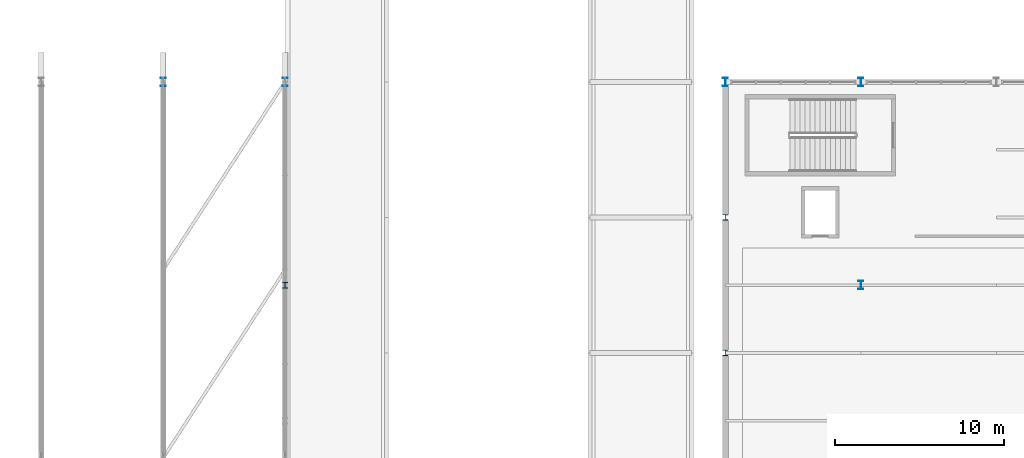
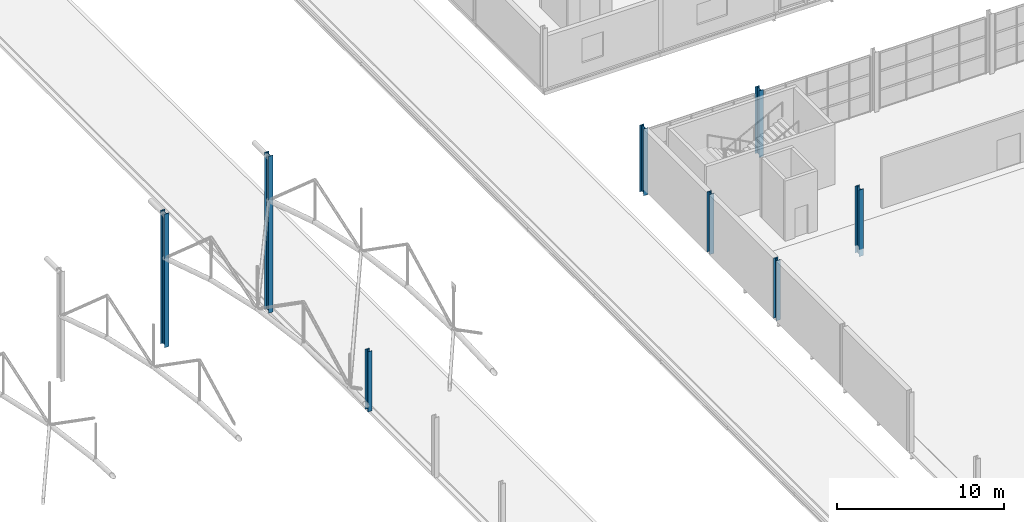
# One storey, part 7 of 153: 8 columns.
"""IFC4 building model written with IfcOpenShell, lengths in metres."""

import ifcopenshell
import ifcopenshell.guid

model = None  # the IFC model being written
_history = None  # IfcOwnerHistory: only IFC2X3 demands one
_inside = {}  # id of a spatial element -> (the spatial element, [elements in it])
_under = {}  # id of a project, library or spatial element -> (it, [spatial elements below it])
_declared = {}  # id of a project -> (the project, [libraries it declares])
_typed = {}  # id of a type object -> (the type object, [elements of that type])
_made_of = {}  # id of a material, layer set ... -> (it, [elements and type objects made of it])


def new_model(schema):
    """Start an empty IFC model of exactly this schema.

    Asked for "IFC4X3", IfcOpenShell would pick the latest addendum, in which some entities
    have other attributes; the version numbers below select the first issue.
    IFC2X3 requires an IfcOwnerHistory on every rooted entity: one is made here for all.
    """
    global model, _history
    if schema == "IFC4X3":
        model = ifcopenshell.file(schema_version=(4, 3, 0, 0))
    else:
        model = ifcopenshell.file(schema=schema)
    _inside.clear()
    _under.clear()
    _declared.clear()
    _typed.clear()
    _made_of.clear()
    _history = None
    if model.schema == "IFC2X3":
        org = make("IfcOrganization", Name="unknown")
        user = make(
            "IfcPersonAndOrganization",
            ThePerson=make("IfcPerson", FamilyName="unknown"),
            TheOrganization=org,
        )
        app = make(
            "IfcApplication",
            ApplicationDeveloper=org,
            Version="unknown",
            ApplicationFullName="unknown",
            ApplicationIdentifier="unknown",
        )
        _history = make(
            "IfcOwnerHistory",
            OwningUser=user,
            OwningApplication=app,
            ChangeAction="ADDED",
            CreationDate=0,
        )
    return model


def make(cls, **values):
    """One entity of the class cls with the attributes given. An attribute that is None is left unset."""
    return model.create_entity(
        cls, **{name: value for name, value in values.items() if value is not None}
    )


def rooted(cls, **values):
    """An entity with a GlobalId (a new one), such as an element, a storey or a relation."""
    return make(cls, GlobalId=ifcopenshell.guid.new(), OwnerHistory=_history, **values)


def si_unit(unit_type, name, prefix=None):
    """IfcSIUnit, for example si_unit("LENGTHUNIT", "METRE", prefix="MILLI")."""
    return make("IfcSIUnit", UnitType=unit_type, Prefix=prefix, Name=name)


def derived_unit(unit_type, elements):
    """IfcDerivedUnit: a product of units, each with its exponent."""
    return make(
        "IfcDerivedUnit",
        Elements=[
            make("IfcDerivedUnitElement", Unit=unit, Exponent=power)
            for unit, power in elements
        ],
        UnitType=unit_type,
    )


def assignment(units):
    """IfcUnitAssignment: the units of a project."""
    return None if units is None else make("IfcUnitAssignment", Units=units)


def point(xyz):
    """IfcCartesianPoint."""
    return None if xyz is None else make("IfcCartesianPoint", Coordinates=xyz)


def direction(xyz):
    """IfcDirection."""
    return None if xyz is None else make("IfcDirection", DirectionRatios=xyz)


def frame(location, z_axis=None, x_axis=None):
    """IfcAxis2Placement3D, a coordinate frame: its origin and axes. An axis left out is left unset."""
    return make(
        "IfcAxis2Placement3D",
        Location=point(location),
        Axis=direction(z_axis),
        RefDirection=direction(x_axis),
    )


def frame_2d(location, x_axis=None):
    """IfcAxis2Placement2D, a coordinate frame in the plane: its origin and x axis."""
    return make(
        "IfcAxis2Placement2D", Location=point(location), RefDirection=direction(x_axis)
    )


def origin():
    """The frame at (0, 0, 0) with its axes left unset."""
    return frame((0.0, 0.0, 0.0))


def origin_2d():
    """The frame at (0, 0) in the plane with its x axis left unset."""
    return frame_2d((0.0, 0.0))


def place(relative_to, where):
    """IfcLocalPlacement: puts the frame where relative to a parent placement (None: the world)."""
    return make(
        "IfcLocalPlacement", PlacementRelTo=relative_to, RelativePlacement=where
    )


def context(
    kind, dimensions, precision=None, world=None, true_north=None, identifier=None
):
    """IfcGeometricRepresentationContext, for example the 3D "Model" context."""
    return make(
        "IfcGeometricRepresentationContext",
        ContextIdentifier=identifier,
        ContextType=kind,
        CoordinateSpaceDimension=dimensions,
        Precision=precision,
        WorldCoordinateSystem=world,
        TrueNorth=true_north,
    )


def subcontext(parent, identifier, kind, view, scale=None):
    """IfcGeometricRepresentationSubContext, for example "Body" below "Model"."""
    return make(
        "IfcGeometricRepresentationSubContext",
        ContextIdentifier=identifier,
        ContextType=kind,
        ParentContext=parent,
        TargetScale=scale,
        TargetView=view,
    )


def project(units=None, contexts=None):
    """IfcProject with its units and contexts."""
    return rooted(
        "IfcProject",
        Name="project",
        RepresentationContexts=contexts,
        UnitsInContext=assignment(units),
    )


def spatial(cls, under=None, at=None, **own):
    """A site, building, storey or space (cls), placed at a placement, below another one or the project."""
    s = rooted(cls, ObjectPlacement=at, **own)
    if under is not None:
        _under.setdefault(under.id(), (under, []))[1].append(s)
    return s


def profile(cls, at=None, kind="AREA", **sizes):
    """A parametric profile (cls). Its sizes go by their IFC names, for example OverallWidth=200.0."""
    return make(cls, ProfileType=kind, Position=at, **sizes)


def i_section(**sizes):
    """IfcIShapeProfileDef."""
    return profile("IfcIShapeProfileDef", **sizes)


def extrude(swept, where, along, depth):
    """IfcExtrudedAreaSolid: the profile swept, set in the frame where, extruded along a direction by depth."""
    return make(
        "IfcExtrudedAreaSolid",
        SweptArea=swept,
        Position=where,
        ExtrudedDirection=direction(along),
        Depth=depth,
    )


def shape(context_of_items, identifier, shape_type, items):
    """IfcShapeRepresentation: the items that make up one representation, for example the "Body"."""
    return make(
        "IfcShapeRepresentation",
        ContextOfItems=context_of_items,
        RepresentationIdentifier=identifier,
        RepresentationType=shape_type,
        Items=items,
    )


def material(Name=None, Category=None):
    """IfcMaterial."""
    return make("IfcMaterial", Name=Name, Category=Category)


def material_profile(
    of_material, cross_section, Name=None, Category=None, Priority=None
):
    """IfcMaterialProfile: a cross section and its material."""
    return make(
        "IfcMaterialProfile",
        Name=Name,
        Material=of_material,
        Profile=cross_section,
        Priority=Priority,
        Category=Category,
    )


def profile_set(profiles, Name=None, composite=None):
    """IfcMaterialProfileSet."""
    return make(
        "IfcMaterialProfileSet",
        Name=Name,
        MaterialProfiles=profiles,
        CompositeProfile=composite,
    )


def made_of(thing, what):
    """Note that an element or type object is made of a material, layer set ...; save() writes the relation."""
    if what is not None:
        _made_of.setdefault(what.id(), (what, []))[1].append(thing)
    return thing


def type_object(cls, material=None, **own):
    """A type object (cls), such as IfcWallType, which elements share."""
    return made_of(rooted(cls, **own), material)


def element(
    cls,
    number,
    at=None,
    inside=None,
    cuts=None,
    type_object=None,
    material=None,
    context=None,
    identifier="Body",
    shape_type=None,
    held_by="IfcProductDefinitionShape",
    body=None,
    shapes=None,
    **own,
):
    """One element of the class cls, such as IfcWall. Its Tag is "e" and its number.

    at: its placement. inside: the storey or other place that contains it. cuts: it is an
    opening in that element (IfcRelVoidsElement). A single representation is given by context,
    identifier, shape_type and body (its items); several are given by shapes. held_by: the class
    of the entity that holds the representations. save() writes the other relations.
    """
    e = rooted(cls, Tag="e%d" % number, ObjectPlacement=at, **own)
    if body is not None:
        shapes = [shape(context, identifier, shape_type, body)]
    if shapes is not None:
        e.Representation = make(held_by, Representations=shapes)
    if inside is not None:
        _inside.setdefault(inside.id(), (inside, []))[1].append(e)
    if cuts is not None:
        rooted(
            "IfcRelVoidsElement", RelatingBuildingElement=cuts, RelatedOpeningElement=e
        )
    if type_object is not None:
        _typed.setdefault(type_object.id(), (type_object, []))[1].append(e)
    return made_of(e, material)


def aggregate(whole, parts):
    """IfcRelAggregates: a whole, such as a stair, and the parts it consists of."""
    return rooted("IfcRelAggregates", RelatingObject=whole, RelatedObjects=parts)


def save(model, path):
    """Write the relations noted so far, then the file.

    IfcRelAggregates (storeys below a building ...), IfcRelContainedInSpatialStructure (elements
    in a storey), IfcRelDefinesByType, IfcRelAssociatesMaterial and IfcRelDeclares: one each for
    every whole, place, type object, material and project.
    """
    for whole, parts in _under.values():
        aggregate(whole, parts)
    for where, things in _inside.values():
        rooted(
            "IfcRelContainedInSpatialStructure",
            RelatedElements=things,
            RelatingStructure=where,
        )
    for kind, things in _typed.values():
        rooted("IfcRelDefinesByType", RelatedObjects=things, RelatingType=kind)
    for what, things in _made_of.values():
        rooted("IfcRelAssociatesMaterial", RelatedObjects=things, RelatingMaterial=what)
    for by, libraries in _declared.values():
        rooted("IfcRelDeclares", RelatingContext=by, RelatedDefinitions=libraries)
    model.write(path)


model = new_model("IFC4")

# Units and contexts
model_context = context("Model", 3, precision=1e-05, world=origin(), true_north=direction((0.0, 1.0)))
body_context = subcontext(model_context, "Body", "Model", "MODEL_VIEW")
ifc_project = project(units=[si_unit("LENGTHUNIT", "METRE"), si_unit("AREAUNIT", "SQUARE_METRE"), si_unit("VOLUMEUNIT", "CUBIC_METRE"), si_unit("PLANEANGLEUNIT", "RADIAN"), si_unit("MASSUNIT", "GRAM", prefix="KILO"), derived_unit("THERMALTRANSMITTANCEUNIT", [(si_unit("POWERUNIT", "WATT"), 1), (si_unit("LENGTHUNIT", "METRE"), -2), (si_unit("THERMODYNAMICTEMPERATUREUNIT", "KELVIN"), -1)])], contexts=[model_context])

# Site, building, storey
site_placement = place(None, origin())
site = spatial("IfcSite", under=ifc_project, at=site_placement, CompositionType="ELEMENT")
building_placement = place(site_placement, origin())
building = spatial("IfcBuilding", under=site, at=building_placement, Name="Keldorne Ridge Multi-Sports Centre", CompositionType="ELEMENT")
storey_placement = place(building_placement, frame((0.0, 0.0, 9.60009765625)))
storey = spatial("IfcBuildingStorey", under=building, at=storey_placement, Name="L02", CompositionType="ELEMENT", Elevation=9.60009765625)

# Columns
ifc_material = material(Name="Steel S355", Category="steel")
ifc_material_profile_1 = material_profile(ifc_material, i_section(OverallWidth=0.300048828125, OverallDepth=0.5, WebThickness=0.014404296875, FlangeThickness=0.028076171875, FilletRadius=0.027099609375, at=origin_2d()), Name="HEB 500")
ifc_profile_set_1 = profile_set([ifc_material_profile_1], Name="Steel S355")
column_type_1 = type_object("IfcColumnType", Name="COL-C-05", PredefinedType="COLUMN", material=ifc_profile_set_1)
column_1_placement = place(storey_placement, frame((70.800048828125, 54.0, 0.0), z_axis=(0.0, 0.0, 1.0), x_axis=(1.0, 0.0, 0.0)))
element("IfcColumn", 1, at=column_1_placement, inside=storey, type_object=column_type_1, Name="Structural column V1-HALL-N-10 on L02", PredefinedType="COLUMN", context=body_context, shape_type="SweptSolid", body=[
    extrude(i_section(OverallWidth=0.300048828125, OverallDepth=0.5, WebThickness=0.014404296875, FlangeThickness=0.028076171875, FilletRadius=0.027099609375, at=origin_2d()), origin(), (0.0, 0.0, 1.0), 9.77978515625),
])
column_2_placement = place(storey_placement, frame((78.0, 54.0, 0.0), z_axis=(0.0, 0.0, 1.0), x_axis=(1.0, 0.0, 0.0)))
element("IfcColumn", 2, at=column_2_placement, inside=storey, type_object=column_type_1, Name="Structural column V1-HALL-N-11 on L02", PredefinedType="COLUMN", context=body_context, shape_type="SweptSolid", body=[
    extrude(i_section(OverallWidth=0.300048828125, OverallDepth=0.5, WebThickness=0.014404296875, FlangeThickness=0.028076171875, FilletRadius=0.027099609375, at=origin_2d()), origin(), (0.0, 0.0, 1.0), 11.5),
])
for number, where, z_axis, x_axis, name in (
    (3, (104.0, 54.0, -0.489990234375), (0.0, 0.0, 1.0), (1.0, 0.0, 0.0), "Structural column V2-TRUSS-N-01 on L02"),
    (4, (112.0, 54.0, -0.489990234375), (0.0, 0.0, 1.0), (1.0, 0.0, 0.0), "Structural column V2-TRUSS-N-02 on L02"),
    (5, (112.0, 42.0, -0.489990234375), (0.0, 0.0, 1.0), (1.0, 0.0, 0.0), "Structural column V2-C4-ANCH on L02"),
):
    element("IfcColumn", number, at=place(storey_placement, frame(where, z_axis=z_axis, x_axis=x_axis)), inside=storey, type_object=column_type_1, Name=name, PredefinedType="COLUMN", context=body_context, shape_type="SweptSolid", body=[
        extrude(i_section(OverallWidth=0.300048828125, OverallDepth=0.5, WebThickness=0.014404296875, FlangeThickness=0.028076171875, FilletRadius=0.027099609375, at=origin_2d()), origin(), (0.0, 0.0, 1.0), 4.889892578125),
    ])
ifc_material_profile_2 = material_profile(ifc_material, i_section(OverallWidth=0.300048828125, OverallDepth=0.340087890625, WebThickness=0.011962890625, FlangeThickness=0.021484375, FilletRadius=0.027099609375, at=origin_2d()), Name="HEB 340")
ifc_profile_set_2 = profile_set([ifc_material_profile_2], Name="Steel S355")
column_type_2 = type_object("IfcColumnType", Name="COL-C-11", PredefinedType="COLUMN", material=ifc_profile_set_2)
for number, where, z_axis, x_axis, name in (
    (6, (78.0, 42.0, 0.0), (0.0, 0.0, 1.0), (1.0, 0.0, 0.0), "Structural column V1-GABLE-E-04 on L02"),
    (7, (104.0, 38.0, 0.0), (0.0, 0.0, 1.0), (1.0, 0.0, 0.0), "Structural column V2-GABLE-W-04 on L02"),
    (8, (104.0, 46.0, 0.0), (0.0, 0.0, 1.0), (1.0, 0.0, 0.0), "Structural column V2-GABLE-W-05 on L02"),
):
    element("IfcColumn", number, at=place(storey_placement, frame(where, z_axis=z_axis, x_axis=x_axis)), inside=storey, type_object=column_type_2, Name=name, PredefinedType="COLUMN", context=body_context, shape_type="SweptSolid", body=[
        extrude(i_section(OverallWidth=0.300048828125, OverallDepth=0.340087890625, WebThickness=0.011962890625, FlangeThickness=0.021484375, FilletRadius=0.027099609375, at=origin_2d()), origin(), (0.0, 0.0, 1.0), 4.39990234375),
    ])

save(model, "model.ifc")
